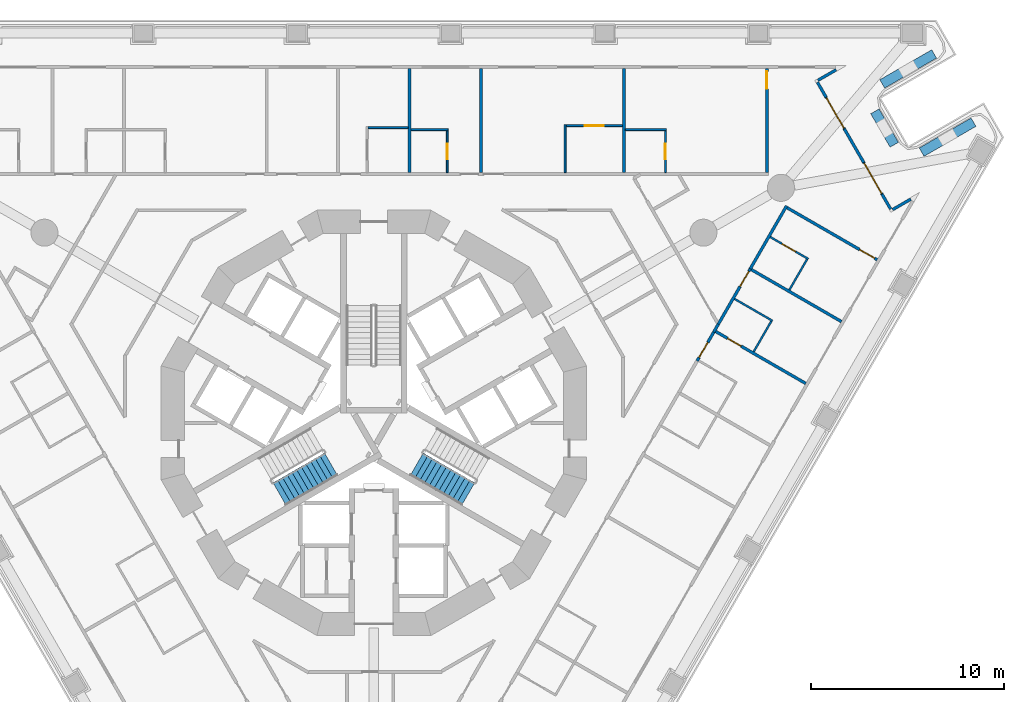
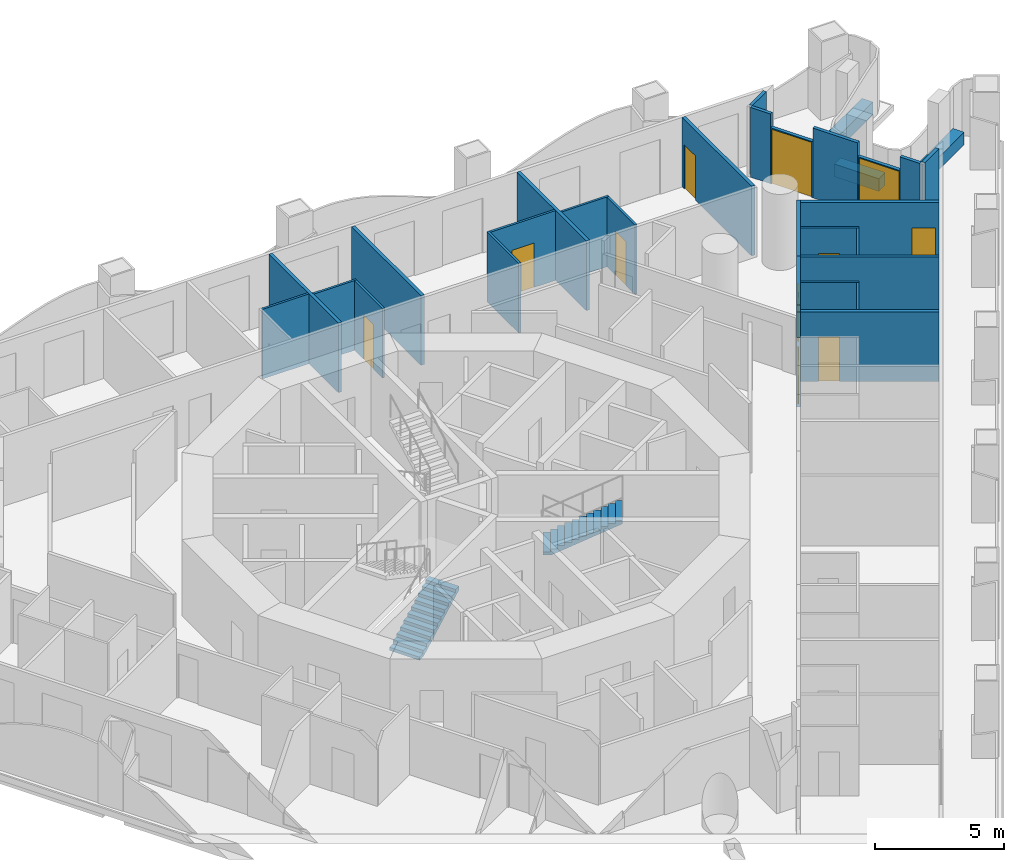
# One storey, part 10 of 20: 32 walls, 11 doors, 2 stair flights, 11 openings, 2 elements without a shape of their own.
"""IFC4 building model written with IfcOpenShell, lengths in metres."""

from ifc_helpers import new_model, si_unit, direction, frame, frame_2d, origin, place, context, subcontext, project, spatial, polyline, rectangle, outline, extrude, material, layer, layer_set, type_object, element, fill, aggregate, save


model = new_model("IFC4")

# Units and contexts
model_context = context("Model", 3, precision=1e-05, world=origin(), true_north=direction((0.0, 1.0)))
body_context = subcontext(model_context, "Body", "Model", "MODEL_VIEW")
ifc_project = project(units=[si_unit("LENGTHUNIT", "METRE"), si_unit("AREAUNIT", "SQUARE_METRE"), si_unit("VOLUMEUNIT", "CUBIC_METRE"), si_unit("PLANEANGLEUNIT", "RADIAN"), si_unit("MASSUNIT", "GRAM", prefix="KILO")], contexts=[model_context])

# Site, building, storey
site_placement = place(None, origin())
site = spatial("IfcSite", under=ifc_project, at=site_placement, CompositionType="ELEMENT")
building_placement = place(site_placement, origin())
building = spatial("IfcBuilding", under=site, at=building_placement, Name="Trine Commons Tower", CompositionType="ELEMENT")
storey_placement = place(building_placement, frame((0.0, 0.0, 35.10009765625)))
storey = spatial("IfcBuildingStorey", under=building, at=storey_placement, Name="L07", CompositionType="ELEMENT", Elevation=35.10009765625)

# Walls
ifc_material_1 = material(Name="Aluminium-framed insulated wall panel", Category="aluminium")
ifc_layer_1 = layer(ifc_material_1, 0.14990234375)
ifc_layer_set_1 = layer_set([ifc_layer_1], Name="Aluminium-framed insulated wall panel")
wall_type_1 = type_object("IfcWallType", Name="Glazed frame wall 150, EI 60", PredefinedType="SOLIDWALL", material=ifc_layer_set_1)
wall_1_placement = place(storey_placement, frame((104.060546875, 80.854248046875, 0.0), z_axis=(0.0, 0.0, 1.0), x_axis=(-0.86606770004, -0.49992673358, 0.0)))
element("IfcWall", 1, at=wall_1_placement, inside=storey, type_object=wall_type_1, Name="Glazed frame wall R5", PredefinedType="SOLIDWALL", context=body_context, shape_type="SweptSolid", body=[
    extrude(outline(polyline([(0.1494140625, 0.074951171875), (0.1494140625, -0.074951171875), (1.235107421875, -0.074951171875), (1.235107421875, 0.074951171875), (0.1494140625, 0.074951171875)])), origin(), (0.0, 0.0, 1.0), 3.2998046875),
])
wall_2_placement = place(storey_placement, frame((102.90869140625, 80.2294921875, 0.0), z_axis=(0.0, 0.0, 1.0), x_axis=(0.50002537861, -0.866010750942, 0.0)))
element("IfcWall", 2, at=wall_2_placement, inside=storey, type_object=wall_type_1, Name="Glazed frame wall P2.1", PredefinedType="SOLIDWALL", context=body_context, shape_type="SweptSolid", body=[
    extrude(outline(polyline([(0.110107421875, -0.074951171875), (1.0, -0.074951171875), (1.0, 0.074951171875), (0.110107421875, 0.074951171875), (0.110107421875, -0.074951171875)])), origin(), (0.0, 0.0, 1.0), 3.2998046875),
])

# Wall, opening, door
wall_3_placement = place(storey_placement, frame((103.40869140625, 79.363525390625, 0.0), z_axis=(0.0, 0.0, 1.0), x_axis=(0.499967155389, -0.866044365799, 0.0)))
wall_3 = element("IfcWall", 3, at=wall_3_placement, inside=storey, type_object=wall_type_1, Name="Glazed frame wall P2.2", PredefinedType="SOLIDWALL", context=body_context, shape_type="SweptSolid", body=[
    extrude(outline(polyline([(0.0, -0.074951171875), (1.89990234375, -0.074951171875), (1.89990234375, 0.074951171875), (0.0, 0.074951171875), (0.0, -0.074951171875)])), origin(), (0.0, 0.0, 1.0), 2.64990234375),
])
opening_1_placement = place(wall_3_placement, frame((0.050048828125, 0.0, 0.0)))
opening_1 = element("IfcOpeningElement", 4, at=opening_1_placement, cuts=wall_3, Name="Opening BD-1P2-01", PredefinedType="OPENING", context=body_context, shape_type="SweptSolid", body=[
    extrude(rectangle(XDim=1.800048828125, YDim=2.60009765625, at=frame_2d((0.89990234375, 1.300048828125))), frame((0.0, 0.0849609375, 0.0), z_axis=(0.0, -1.0, 0.0), x_axis=(1.0, 0.0, 0.0)), (0.0, 0.0, 1.0), 0.169921875),
])
ifc_material_2 = material(Name="Anodised aluminium frame with double glazing", Category="aluminium")
door_type_1 = type_object("IfcDoorType", Name="Sliding loggia door 1800x2600", OperationType="SLIDING_TO_LEFT", PredefinedType="DOOR", material=ifc_material_2)
door_1_placement = place(opening_1_placement, origin())
door_1 = element("IfcDoor", 5, at=door_1_placement, inside=storey, type_object=door_type_1, Name="Loggia door P2 1", OperationType="SLIDING_TO_LEFT", OverallHeight=2.60009765625, OverallWidth=1.800048828125, PredefinedType="DOOR", context=body_context, shape_type="SweptSolid", body=[
    extrude(rectangle(XDim=1.800048828125, YDim=2.60009765625, at=frame_2d((0.89990234375, 1.300048828125))), frame((0.0, 0.02490234375, 0.0), z_axis=(0.0, -1.0, 0.0), x_axis=(1.0, 0.0, 0.0)), (0.0, 0.0, 1.0), 0.050048828125),
])
fill(opening_1, door_1)

# Wall
wall_4_placement = place(storey_placement, frame((104.358642578125, 77.718017578125, 0.0), z_axis=(0.0, 0.0, 1.0), x_axis=(0.50002537861, -0.866010750942, 0.0)))
element("IfcWall", 6, at=wall_4_placement, inside=storey, type_object=wall_type_1, Name="Glazed frame wall P2.3", PredefinedType="SOLIDWALL", context=body_context, shape_type="SweptSolid", body=[
    extrude(outline(polyline([(0.0, -0.074951171875), (2.0, -0.074951171875), (2.0, 0.074951171875), (0.0, 0.074951171875), (0.0, -0.074951171875)])), origin(), (0.0, 0.0, 1.0), 3.2998046875),
])

# Wall, opening, door
wall_5_placement = place(storey_placement, frame((105.358642578125, 75.986083984375, 0.0), z_axis=(0.0, 0.0, 1.0), x_axis=(0.499967155389, -0.866044365799, 0.0)))
wall_5 = element("IfcWall", 7, at=wall_5_placement, inside=storey, type_object=wall_type_1, Name="Glazed frame wall P2.4", PredefinedType="SOLIDWALL", context=body_context, shape_type="SweptSolid", body=[
    extrude(outline(polyline([(0.0, -0.074951171875), (1.89990234375, -0.074951171875), (1.89990234375, 0.074951171875), (0.0, 0.074951171875), (0.0, -0.074951171875)])), origin(), (0.0, 0.0, 1.0), 2.64990234375),
])
opening_2_placement = place(wall_5_placement, frame((0.050048828125, 0.0, 0.0)))
opening_2 = element("IfcOpeningElement", 8, at=opening_2_placement, cuts=wall_5, Name="Opening BD-1P2-02", PredefinedType="OPENING", context=body_context, shape_type="SweptSolid", body=[
    extrude(rectangle(XDim=1.800048828125, YDim=2.60009765625, at=frame_2d((0.89990234375, 1.300048828125))), frame((0.0, 0.0849609375, 0.0), z_axis=(0.0, -1.0, 0.0), x_axis=(1.0, 0.0, 0.0)), (0.0, 0.0, 1.0), 0.169921875),
])
door_2_placement = place(opening_2_placement, origin())
door_2 = element("IfcDoor", 9, at=door_2_placement, inside=storey, type_object=door_type_1, Name="Loggia door P2 2", OperationType="SLIDING_TO_LEFT", OverallHeight=2.60009765625, OverallWidth=1.800048828125, PredefinedType="DOOR", context=body_context, shape_type="SweptSolid", body=[
    extrude(rectangle(XDim=1.800048828125, YDim=2.60009765625, at=frame_2d((0.89990234375, 1.300048828125))), frame((0.0, 0.02490234375, 0.0), z_axis=(0.0, -1.0, 0.0), x_axis=(1.0, 0.0, 0.0)), (0.0, 0.0, 1.0), 0.050048828125),
])
fill(opening_2, door_2)

# Walls
wall_6_placement = place(storey_placement, frame((106.30859375, 74.340576171875, 0.0), z_axis=(0.0, 0.0, 1.0), x_axis=(0.50002537861, -0.866010750942, 0.0)))
element("IfcWall", 10, at=wall_6_placement, inside=storey, type_object=wall_type_1, Name="Glazed frame wall P2.5", PredefinedType="SOLIDWALL", context=body_context, shape_type="SweptSolid", body=[
    extrude(outline(polyline([(0.889892578125, 0.074951171875), (0.0, 0.074951171875), (0.0, -0.074951171875), (0.889892578125, -0.074951171875), (0.889892578125, 0.074951171875)])), origin(), (0.0, 0.0, 1.0), 3.2998046875),
])
wall_7_placement = place(storey_placement, frame((106.7607421875, 73.4873046875, 0.0), z_axis=(0.0, 0.0, 1.0), x_axis=(0.865989100438, 0.500062873969, 0.0)))
element("IfcWall", 11, at=wall_7_placement, inside=storey, type_object=wall_type_1, Name="Glazed frame wall R7", PredefinedType="SOLIDWALL", context=body_context, shape_type="SweptSolid", body=[
    extrude(outline(polyline([(0.110107421875, 0.074951171875), (0.110107421875, -0.074951171875), (1.19580078125, -0.074951171875), (1.19580078125, 0.074951171875), (0.110107421875, 0.074951171875)])), origin(), (0.0, 0.0, 1.0), 3.2998046875),
])
ifc_material_3 = material(Name="Planter trough, precast concrete C40/50", Category="concrete")
ifc_layer_2 = layer(ifc_material_3, 0.5)
ifc_layer_set_2 = layer_set([ifc_layer_2], Name="Planter trough, precast concrete C40/50")
wall_type_2 = type_object("IfcWallType", Name="Planter trough 500x600", PredefinedType="PARAPET", material=ifc_layer_set_2)
wall_8_placement = place(storey_placement, frame((109.00439453125, 81.601318359375, 0.0), z_axis=(0.0, 0.0, 1.0), x_axis=(-0.86602952684, -0.49999285859, 0.0)))
element("IfcWall", 12, at=wall_8_placement, inside=storey, type_object=wall_type_2, Name="Planter 4", PredefinedType="PARAPET", context=body_context, shape_type="SweptSolid", body=[
    extrude(rectangle(XDim=3.10009765625, YDim=0.5, at=frame_2d((1.550048828125, 0.0))), origin(), (0.0, 0.0, 1.0), 0.599853515625),
])
wall_9_placement = place(storey_placement, frame((105.939208984375, 78.630615234375, 0.0), z_axis=(0.0, 0.0, 1.0), x_axis=(0.50002537861, -0.866010750942, 0.0)))
element("IfcWall", 13, at=wall_9_placement, inside=storey, type_object=wall_type_2, Name="Planter 5", PredefinedType="PARAPET", context=body_context, shape_type="SweptSolid", body=[
    extrude(rectangle(XDim=2.0, YDim=0.5, at=frame_2d((1.0, 0.0))), origin(), (0.0, 0.0, 1.0), 0.599853515625),
])
wall_10_placement = place(storey_placement, frame((108.359619140625, 76.51806640625, 0.0), z_axis=(0.0, 0.0, 1.0), x_axis=(0.86602952684, 0.49999285859, 0.0)))
element("IfcWall", 14, at=wall_10_placement, inside=storey, type_object=wall_type_2, Name="Planter 6", PredefinedType="PARAPET", context=body_context, shape_type="SweptSolid", body=[
    extrude(rectangle(XDim=3.10009765625, YDim=0.5, at=frame_2d((1.550048828125, 0.0))), origin(), (0.0, 0.0, 1.0), 0.599853515625),
])
ifc_material_4 = material(Name="Gypsum plasterboard on steel stud", Category="steel")
ifc_layer_3 = layer(ifc_material_4, 0.14990234375)
ifc_layer_set_3 = layer_set([ifc_layer_3], Name="Gypsum plasterboard on steel stud")
wall_type_3 = type_object("IfcWallType", Name="Unit and corridor wall 150 mm, EI 60", PredefinedType="PARTITIONING", material=ifc_layer_set_3)
for number, where, z_axis, x_axis, name in (
    (15, (81.84912109375, 75.4619140625, 0.0), (0.0, 0.0, 1.0), (0.0, 1.0, 0.0), "Partition 073"),
    (16, (85.548095703125, 75.4619140625, 0.0), (0.0, 0.0, 1.0), (0.0, 1.0, 0.0), "Partition 086"),
    (17, (92.946044921875, 75.4619140625, 0.0), (0.0, 0.0, 1.0), (0.0, 1.0, 0.0), "Partition 110"),
):
    element("IfcWall", number, at=place(storey_placement, frame(where, z_axis=z_axis, x_axis=x_axis)), inside=storey, type_object=wall_type_3, Name=name, PredefinedType="PARTITIONING", context=body_context, shape_type="SweptSolid", body=[
        extrude(rectangle(XDim=5.383056640625, YDim=0.14990234375, at=frame_2d((2.69140625, 0.0))), origin(), (0.0, 0.0, 1.0), 3.2998046875),
    ])

# Wall, opening, door
wall_11_placement = place(storey_placement, frame((96.73291015625, 65.707763671875, 0.0), z_axis=(0.0, 0.0, 1.0), x_axis=(0.499991567972, 0.866030271964, 0.0)))
wall_11 = element("IfcWall", 18, at=wall_11_placement, inside=storey, type_object=wall_type_3, Name="Partition 122", PredefinedType="PARTITIONING", context=body_context, shape_type="SweptSolid", body=[
    extrude(rectangle(XDim=1.80615234375, YDim=0.14990234375, at=frame_2d((0.903076171875, 0.0))), origin(), (0.0, 0.0, 1.0), 3.2998046875),
])
opening_3_placement = place(wall_11_placement, frame((0.203125, 0.0, 0.0)))
opening_3 = element("IfcOpeningElement", 19, at=opening_3_placement, cuts=wall_11, Name="Opening D-1A17", PredefinedType="OPENING", context=body_context, shape_type="SweptSolid", body=[
    extrude(rectangle(XDim=0.89990234375, YDim=2.10009765625, at=frame_2d((0.449951171875, 1.050048828125))), frame((0.0, 0.0849609375, 0.0), z_axis=(0.0, -1.0, 0.0), x_axis=(1.0, 0.0, 0.0)), (0.0, 0.0, 1.0), 0.169921875),
])
ifc_material_5 = material(Name="Timber fire door set", Category="wood")
door_type_2 = type_object("IfcDoorType", Name="Bedroom door 900 x 2100, FD30S", OperationType="NOTDEFINED", PredefinedType="DOOR", material=ifc_material_5)
door_3_placement = place(opening_3_placement, frame((0.89990234375, 0.0, 0.0), z_axis=(0.0, 0.0, 1.0), x_axis=(-1.0, 0.0, 0.0)))
door_3 = element("IfcDoor", 20, at=door_3_placement, inside=storey, type_object=door_type_2, Name="Door D-1A17", OperationType="SINGLE_SWING_RIGHT", OverallHeight=2.10009765625, OverallWidth=0.89990234375, PredefinedType="DOOR", context=body_context, shape_type="SweptSolid", body=[
    extrude(rectangle(XDim=0.89990234375, YDim=2.10009765625, at=frame_2d((0.449951171875, 1.050048828125))), frame((0.0, 0.02490234375, 0.0), z_axis=(0.0, -1.0, 0.0), x_axis=(1.0, 0.0, 0.0)), (0.0, 0.0, 1.0), 0.050048828125),
])
fill(opening_3, door_3)

# Wall
wall_12_placement = place(storey_placement, frame((97.594482421875, 67.199951171875, 0.0), z_axis=(0.0, 0.0, 1.0), x_axis=(0.499633176362, 0.866237085952, 0.0)))
element("IfcWall", 21, at=wall_12_placement, inside=storey, type_object=wall_type_3, Name="Partition 125", PredefinedType="PARTITIONING", context=body_context, shape_type="SweptSolid", body=[
    extrude(rectangle(XDim=0.473388671875, YDim=0.14990234375, at=frame_2d((0.23681640625, 0.0))), origin(), (0.0, 0.0, 1.0), 3.2998046875),
])

# Wall, opening, door
wall_13_placement = place(storey_placement, frame((97.697998046875, 67.2314453125, 0.0), z_axis=(0.0, 0.0, 1.0), x_axis=(0.866057962423, -0.499943602543, 0.0)))
wall_13 = element("IfcWall", 22, at=wall_13_placement, inside=storey, type_object=wall_type_3, Name="Partition 126", PredefinedType="PARTITIONING", context=body_context, shape_type="SweptSolid", body=[
    extrude(rectangle(XDim=5.38330078125, YDim=0.14990234375, at=frame_2d((2.691650390625, 0.0))), origin(), (0.0, 0.0, 1.0), 3.2998046875),
])
opening_4_placement = place(wall_13_placement, frame((0.712646484375, 0.0, 0.0)))
opening_4 = element("IfcOpeningElement", 23, at=opening_4_placement, cuts=wall_13, Name="Opening D-1A49", PredefinedType="OPENING", context=body_context, shape_type="SweptSolid", body=[
    extrude(rectangle(XDim=0.800048828125, YDim=2.10009765625, at=frame_2d((0.39990234375, 1.050048828125))), frame((0.0, 0.0849609375, 0.0), z_axis=(0.0, -1.0, 0.0), x_axis=(1.0, 0.0, 0.0)), (0.0, 0.0, 1.0), 0.169921875),
])
ifc_material_6 = material(Name="Painted timber", Category="wood")
door_type_3 = type_object("IfcDoorType", Name="Internal door 800 x 2100, NOT RATED", OperationType="NOTDEFINED", PredefinedType="DOOR", material=ifc_material_6)
door_4_placement = place(opening_4_placement, frame((0.800048828125, 0.0, 0.0), z_axis=(0.0, 0.0, 1.0), x_axis=(-1.0, 0.0, 0.0)))
door_4 = element("IfcDoor", 24, at=door_4_placement, inside=storey, type_object=door_type_3, Name="Door D-1A49", OperationType="SINGLE_SWING_RIGHT", OverallHeight=2.10009765625, OverallWidth=0.800048828125, PredefinedType="DOOR", context=body_context, shape_type="SweptSolid", body=[
    extrude(rectangle(XDim=0.800048828125, YDim=2.10009765625, at=frame_2d((0.39990234375, 1.050048828125))), frame((0.0, 0.02490234375, 0.0), z_axis=(0.0, -1.0, 0.0), x_axis=(1.0, 0.0, 0.0)), (0.0, 0.0, 1.0), 0.050048828125),
])
fill(opening_4, door_4)

wall_14_placement = place(storey_placement, frame((97.8310546875, 67.610107421875, 0.0), z_axis=(0.0, 0.0, 1.0), x_axis=(0.499905801698, 0.866079782369, 0.0)))
wall_14 = element("IfcWall", 25, at=wall_14_placement, inside=storey, type_object=wall_type_3, Name="Partition 128", PredefinedType="PARTITIONING", context=body_context, shape_type="SweptSolid", body=[
    extrude(rectangle(XDim=3.304443359375, YDim=0.14990234375, at=frame_2d((1.65234375, 0.0))), origin(), (0.0, 0.0, 1.0), 3.2998046875),
])
opening_5_placement = place(wall_14_placement, frame((2.254638671875, 0.0, 0.0)))
opening_5 = element("IfcOpeningElement", 26, at=opening_5_placement, cuts=wall_14, Name="Opening D-1A16", PredefinedType="OPENING", context=body_context, shape_type="SweptSolid", body=[
    extrude(rectangle(XDim=0.89990234375, YDim=2.10009765625, at=frame_2d((0.449951171875, 1.050048828125))), frame((0.0, 0.0849609375, 0.0), z_axis=(0.0, -1.0, 0.0), x_axis=(1.0, 0.0, 0.0)), (0.0, 0.0, 1.0), 0.169921875),
])
door_5_placement = place(opening_5_placement, frame((0.89990234375, 0.0, 0.0), z_axis=(0.0, 0.0, 1.0), x_axis=(-1.0, 0.0, 0.0)))
door_5 = element("IfcDoor", 27, at=door_5_placement, inside=storey, type_object=door_type_2, Name="Door D-1A16", OperationType="SINGLE_SWING_LEFT", OverallHeight=2.10009765625, OverallWidth=0.89990234375, PredefinedType="DOOR", context=body_context, shape_type="SweptSolid", body=[
    extrude(rectangle(XDim=0.89990234375, YDim=2.10009765625, at=frame_2d((0.449951171875, 1.050048828125))), frame((0.0, 0.02490234375, 0.0), z_axis=(0.0, -1.0, 0.0), x_axis=(1.0, 0.0, 0.0)), (0.0, 0.0, 1.0), 0.050048828125),
])
fill(opening_5, door_5)

# Walls
wall_15_placement = place(storey_placement, frame((99.48291015625, 70.471923828125, 0.0), z_axis=(0.0, 0.0, 1.0), x_axis=(0.49993154479, 0.866064922811, 0.0)))
element("IfcWall", 28, at=wall_15_placement, inside=storey, type_object=wall_type_3, Name="Partition 130", PredefinedType="PARTITIONING", context=body_context, shape_type="SweptSolid", body=[
    extrude(rectangle(XDim=3.7734375, YDim=0.14990234375, at=frame_2d((1.88671875, 0.0))), origin(), (0.0, 0.0, 1.0), 3.2998046875),
])
wall_16_placement = place(storey_placement, frame((99.548095703125, 70.4345703125, 0.0), z_axis=(0.0, 0.0, 1.0), x_axis=(0.865992970276, -0.500056172277, 0.0)))
element("IfcWall", 29, at=wall_16_placement, inside=storey, type_object=wall_type_3, Name="Partition 131", PredefinedType="PARTITIONING", context=body_context, shape_type="SweptSolid", body=[
    extrude(rectangle(XDim=5.3828125, YDim=0.14990234375, at=frame_2d((2.69140625, 0.0))), origin(), (0.0, 0.0, 1.0), 3.2998046875),
])

# Wall, opening, door
wall_17_placement = place(storey_placement, frame((100.343994140625, 75.4619140625, 0.0), z_axis=(0.0, 0.0, 1.0), x_axis=(0.0, 1.0, 0.0)))
wall_17 = element("IfcWall", 30, at=wall_17_placement, inside=storey, type_object=wall_type_3, Name="Partition 133", PredefinedType="PARTITIONING", context=body_context, shape_type="SweptSolid", body=[
    extrude(rectangle(XDim=5.383056640625, YDim=0.14990234375, at=frame_2d((2.69140625, 0.0))), origin(), (0.0, 0.0, 1.0), 3.2998046875),
])
opening_6_placement = place(wall_17_placement, frame((4.3330078125, 0.0, 0.0)))
opening_6 = element("IfcOpeningElement", 31, at=opening_6_placement, cuts=wall_17, Name="Opening D-1A14", PredefinedType="OPENING", context=body_context, shape_type="SweptSolid", body=[
    extrude(rectangle(XDim=0.89990234375, YDim=2.10009765625, at=frame_2d((0.449951171875, 1.050048828125))), frame((0.0, 0.0849609375, 0.0), z_axis=(0.0, -1.0, 0.0), x_axis=(1.0, 0.0, 0.0)), (0.0, 0.0, 1.0), 0.169921875),
])
door_6_placement = place(opening_6_placement, origin())
door_6 = element("IfcDoor", 32, at=door_6_placement, inside=storey, type_object=door_type_2, Name="Door D-1A14", OperationType="SINGLE_SWING_RIGHT", OverallHeight=2.10009765625, OverallWidth=0.89990234375, PredefinedType="DOOR", context=body_context, shape_type="SweptSolid", body=[
    extrude(rectangle(XDim=0.89990234375, YDim=2.10009765625, at=frame_2d((0.449951171875, 1.050048828125))), frame((0.0, 0.02490234375, 0.0), z_axis=(0.0, -1.0, 0.0), x_axis=(1.0, 0.0, 0.0)), (0.0, 0.0, 1.0), 0.050048828125),
])
fill(opening_6, door_6)

wall_18_placement = place(storey_placement, frame((101.39697265625, 73.637451171875, 0.0), z_axis=(0.0, 0.0, 1.0), x_axis=(0.866057962423, -0.499943602543, 0.0)))
wall_18 = element("IfcWall", 33, at=wall_18_placement, inside=storey, type_object=wall_type_3, Name="Partition 135", PredefinedType="PARTITIONING", context=body_context, shape_type="SweptSolid", body=[
    extrude(rectangle(XDim=5.38330078125, YDim=0.14990234375, at=frame_2d((2.691650390625, 0.0))), origin(), (0.0, 0.0, 1.0), 3.2998046875),
])
opening_7_placement = place(wall_18_placement, frame((4.33349609375, 0.0, 0.0)))
opening_7 = element("IfcOpeningElement", 34, at=opening_7_placement, cuts=wall_18, Name="Opening D-1A15", PredefinedType="OPENING", context=body_context, shape_type="SweptSolid", body=[
    extrude(rectangle(XDim=0.89990234375, YDim=2.10009765625, at=frame_2d((0.449951171875, 1.050048828125))), frame((0.0, 0.0849609375, 0.0), z_axis=(0.0, -1.0, 0.0), x_axis=(1.0, 0.0, 0.0)), (0.0, 0.0, 1.0), 0.169921875),
])
door_7_placement = place(opening_7_placement, frame((0.89990234375, 0.0, 0.0), z_axis=(0.0, 0.0, 1.0), x_axis=(-1.0, 0.0, 0.0)))
door_7 = element("IfcDoor", 35, at=door_7_placement, inside=storey, type_object=door_type_2, Name="Door D-1A15", OperationType="SINGLE_SWING_LEFT", OverallHeight=2.10009765625, OverallWidth=0.89990234375, PredefinedType="DOOR", context=body_context, shape_type="SweptSolid", body=[
    extrude(rectangle(XDim=0.89990234375, YDim=2.10009765625, at=frame_2d((0.449951171875, 1.050048828125))), frame((0.0, 0.02490234375, 0.0), z_axis=(0.0, -1.0, 0.0), x_axis=(1.0, 0.0, 0.0)), (0.0, 0.0, 1.0), 0.050048828125),
])
fill(opening_7, door_7)

# Walls
ifc_layer_4 = layer(ifc_material_4, 0.10009765625)
ifc_layer_set_4 = layer_set([ifc_layer_4], Name="Gypsum plasterboard on steel stud")
wall_type_4 = type_object("IfcWallType", Name="Unit partition 100 mm, no rating", PredefinedType="PARTITIONING", material=ifc_layer_set_4)
wall_19_placement = place(storey_placement, frame((79.698974609375, 77.787109375, 0.0), z_axis=(0.0, 0.0, 1.0), x_axis=(1.0, 0.0, 0.0)))
element("IfcWall", 36, at=wall_19_placement, inside=storey, type_object=wall_type_4, Name="Partition 068", PredefinedType="PARTITIONING", context=body_context, shape_type="SweptSolid", body=[
    extrude(rectangle(XDim=2.074951171875, YDim=0.10009765625, at=frame_2d((1.03759765625, 0.0))), origin(), (0.0, 0.0, 1.0), 3.2998046875),
])
wall_20_placement = place(storey_placement, frame((81.924072265625, 77.68701171875, 0.0), z_axis=(0.0, 0.0, 1.0), x_axis=(1.0, 0.0, 0.0)))
element("IfcWall", 37, at=wall_20_placement, inside=storey, type_object=wall_type_4, Name="Partition 074", PredefinedType="PARTITIONING", context=body_context, shape_type="SweptSolid", body=[
    extrude(rectangle(XDim=1.925048828125, YDim=0.10009765625, at=frame_2d((0.96240234375, 0.0))), origin(), (0.0, 0.0, 1.0), 3.2998046875),
])

# Wall, opening, door
wall_21_placement = place(storey_placement, frame((83.799072265625, 75.4619140625, 0.0), z_axis=(0.0, 0.0, 1.0), x_axis=(0.0, 1.0, 0.0)))
wall_21 = element("IfcWall", 38, at=wall_21_placement, inside=storey, type_object=wall_type_4, Name="Partition 082", PredefinedType="PARTITIONING", context=body_context, shape_type="SweptSolid", body=[
    extrude(rectangle(XDim=2.175048828125, YDim=0.10009765625, at=frame_2d((1.08740234375, 0.0))), origin(), (0.0, 0.0, 1.0), 3.2998046875),
])
opening_8_placement = place(wall_21_placement, frame((0.6875, 0.0, 0.0)))
opening_8 = element("IfcOpeningElement", 39, at=opening_8_placement, cuts=wall_21, Name="Opening D-1A45", PredefinedType="OPENING", context=body_context, shape_type="SweptSolid", body=[
    extrude(rectangle(XDim=0.800048828125, YDim=2.10009765625, at=frame_2d((0.39990234375, 1.050048828125))), frame((0.0, 0.06005859375, 0.0), z_axis=(0.0, -1.0, 0.0), x_axis=(1.0, 0.0, 0.0)), (0.0, 0.0, 1.0), 0.1201171875),
])
door_8_placement = place(opening_8_placement, frame((0.800048828125, 0.0, 0.0), z_axis=(0.0, 0.0, 1.0), x_axis=(-1.0, 0.0, 0.0)))
door_8 = element("IfcDoor", 40, at=door_8_placement, inside=storey, type_object=door_type_3, Name="Door D-1A45", OperationType="SINGLE_SWING_RIGHT", OverallHeight=2.10009765625, OverallWidth=0.800048828125, PredefinedType="DOOR", context=body_context, shape_type="SweptSolid", body=[
    extrude(rectangle(XDim=0.800048828125, YDim=2.10009765625, at=frame_2d((0.39990234375, 1.050048828125))), frame((0.0, 0.02490234375, 0.0), z_axis=(0.0, -1.0, 0.0), x_axis=(1.0, 0.0, 0.0)), (0.0, 0.0, 1.0), 0.050048828125),
])
fill(opening_8, door_8)

# Wall
wall_22_placement = place(storey_placement, frame((89.89599609375, 75.4619140625, 0.0), z_axis=(0.0, 0.0, 1.0), x_axis=(0.0, 1.0, 0.0)))
element("IfcWall", 41, at=wall_22_placement, inside=storey, type_object=wall_type_4, Name="Partition 101", PredefinedType="PARTITIONING", context=body_context, shape_type="SweptSolid", body=[
    extrude(rectangle(XDim=2.47509765625, YDim=0.10009765625, at=frame_2d((1.237548828125, 0.0))), origin(), (0.0, 0.0, 1.0), 3.2998046875),
])

# Wall, opening, door
wall_23_placement = place(storey_placement, frame((89.946044921875, 77.886962890625, 0.0), z_axis=(0.0, 0.0, 1.0), x_axis=(1.0, 0.0, 0.0)))
wall_23 = element("IfcWall", 42, at=wall_23_placement, inside=storey, type_object=wall_type_4, Name="Partition 102", PredefinedType="PARTITIONING", context=body_context, shape_type="SweptSolid", body=[
    extrude(rectangle(XDim=2.925048828125, YDim=0.10009765625, at=frame_2d((1.46240234375, 0.0))), origin(), (0.0, 0.0, 1.0), 3.2998046875),
])
opening_9_placement = place(wall_23_placement, frame((0.96240234375, 0.0, 0.0)))
opening_9 = element("IfcOpeningElement", 43, at=opening_9_placement, cuts=wall_23, Name="Opening D-1A46", PredefinedType="OPENING", context=body_context, shape_type="SweptSolid", body=[
    extrude(rectangle(XDim=1.0, YDim=2.10009765625, at=frame_2d((0.5, 1.050048828125))), frame((0.0, 0.06005859375, 0.0), z_axis=(0.0, -1.0, 0.0), x_axis=(1.0, 0.0, 0.0)), (0.0, 0.0, 1.0), 0.1201171875),
])
door_type_4 = type_object("IfcDoorType", Name="Internal door 1000 x 2100, NOT RATED", OperationType="NOTDEFINED", PredefinedType="DOOR", material=ifc_material_6)
door_9_placement = place(opening_9_placement, origin())
door_9 = element("IfcDoor", 44, at=door_9_placement, inside=storey, type_object=door_type_4, Name="Door D-1A46", OperationType="SINGLE_SWING_RIGHT", OverallHeight=2.10009765625, OverallWidth=1.0, PredefinedType="DOOR", context=body_context, shape_type="SweptSolid", body=[
    extrude(rectangle(XDim=1.0, YDim=2.10009765625, at=frame_2d((0.5, 1.050048828125))), frame((0.0, 0.02490234375, 0.0), z_axis=(0.0, -1.0, 0.0), x_axis=(1.0, 0.0, 0.0)), (0.0, 0.0, 1.0), 0.050048828125),
])
fill(opening_9, door_9)

# Wall
wall_24_placement = place(storey_placement, frame((93.02099609375, 77.68701171875, 0.0), z_axis=(0.0, 0.0, 1.0), x_axis=(1.0, 0.0, 0.0)))
element("IfcWall", 45, at=wall_24_placement, inside=storey, type_object=wall_type_4, Name="Partition 111", PredefinedType="PARTITIONING", context=body_context, shape_type="SweptSolid", body=[
    extrude(rectangle(XDim=2.125, YDim=0.10009765625, at=frame_2d((1.0625, 0.0))), origin(), (0.0, 0.0, 1.0), 3.2998046875),
])

# Wall, opening, door
wall_25_placement = place(storey_placement, frame((95.095947265625, 75.4619140625, 0.0), z_axis=(0.0, 0.0, 1.0), x_axis=(0.0, 1.0, 0.0)))
wall_25 = element("IfcWall", 46, at=wall_25_placement, inside=storey, type_object=wall_type_4, Name="Partition 118", PredefinedType="PARTITIONING", context=body_context, shape_type="SweptSolid", body=[
    extrude(rectangle(XDim=2.175048828125, YDim=0.10009765625, at=frame_2d((1.08740234375, 0.0))), origin(), (0.0, 0.0, 1.0), 3.2998046875),
])
opening_10_placement = place(wall_25_placement, frame((0.6875, 0.0, 0.0)))
opening_10 = element("IfcOpeningElement", 47, at=opening_10_placement, cuts=wall_25, Name="Opening D-1A47", PredefinedType="OPENING", context=body_context, shape_type="SweptSolid", body=[
    extrude(rectangle(XDim=0.800048828125, YDim=2.10009765625, at=frame_2d((0.39990234375, 1.050048828125))), frame((0.0, 0.06005859375, 0.0), z_axis=(0.0, -1.0, 0.0), x_axis=(1.0, 0.0, 0.0)), (0.0, 0.0, 1.0), 0.1201171875),
])
door_10_placement = place(opening_10_placement, frame((0.800048828125, 0.0, 0.0), z_axis=(0.0, 0.0, 1.0), x_axis=(-1.0, 0.0, 0.0)))
door_10 = element("IfcDoor", 48, at=door_10_placement, inside=storey, type_object=door_type_3, Name="Door D-1A47", OperationType="SINGLE_SWING_RIGHT", OverallHeight=2.10009765625, OverallWidth=0.800048828125, PredefinedType="DOOR", context=body_context, shape_type="SweptSolid", body=[
    extrude(rectangle(XDim=0.800048828125, YDim=2.10009765625, at=frame_2d((0.39990234375, 1.050048828125))), frame((0.0, 0.02490234375, 0.0), z_axis=(0.0, -1.0, 0.0), x_axis=(1.0, 0.0, 0.0)), (0.0, 0.0, 1.0), 0.050048828125),
])
fill(opening_10, door_10)

# Walls
wall_26_placement = place(storey_placement, frame((98.673095703125, 68.91943359375, 0.0), z_axis=(0.0, 0.0, 1.0), x_axis=(0.866035472144, -0.499982560684, 0.0)))
element("IfcWall", 49, at=wall_26_placement, inside=storey, type_object=wall_type_4, Name="Partition 129", PredefinedType="PARTITIONING", context=body_context, shape_type="SweptSolid", body=[
    extrude(rectangle(XDim=2.27490234375, YDim=0.10009765625, at=frame_2d((1.137451171875, 0.0))), origin(), (0.0, 0.0, 1.0), 3.2998046875),
])
wall_27_placement = place(storey_placement, frame((99.66259765625, 66.183837890625, 0.0), z_axis=(0.0, 0.0, 1.0), x_axis=(0.50009699267, 0.865969397798, 0.0)))
element("IfcWall", 50, at=wall_27_placement, inside=storey, type_object=wall_type_4, Name="Partition 132", PredefinedType="PARTITIONING", context=body_context, shape_type="SweptSolid", body=[
    extrude(rectangle(XDim=1.824462890625, YDim=0.10009765625, at=frame_2d((0.912109375, 0.0))), origin(), (0.0, 0.0, 1.0), 3.2998046875),
])

# Wall, opening, door
wall_28_placement = place(storey_placement, frame((100.52294921875, 72.12353515625, 0.0), z_axis=(0.0, 0.0, 1.0), x_axis=(0.866062295389, -0.499936096422, 0.0)))
wall_28 = element("IfcWall", 51, at=wall_28_placement, inside=storey, type_object=wall_type_4, Name="Partition 134", PredefinedType="PARTITIONING", context=body_context, shape_type="SweptSolid", body=[
    extrude(rectangle(XDim=2.275146484375, YDim=0.10009765625, at=frame_2d((1.1376953125, 0.0))), origin(), (0.0, 0.0, 1.0), 3.2998046875),
])
opening_11_placement = place(wall_28_placement, frame((0.712646484375, 0.0, 0.0)))
opening_11 = element("IfcOpeningElement", 52, at=opening_11_placement, cuts=wall_28, Name="Opening D-1A48", PredefinedType="OPENING", context=body_context, shape_type="SweptSolid", body=[
    extrude(rectangle(XDim=0.800048828125, YDim=2.10009765625, at=frame_2d((0.39990234375, 1.050048828125))), frame((0.0, 0.06005859375, 0.0), z_axis=(0.0, -1.0, 0.0), x_axis=(1.0, 0.0, 0.0)), (0.0, 0.0, 1.0), 0.1201171875),
])
door_11_placement = place(opening_11_placement, origin())
door_11 = element("IfcDoor", 53, at=door_11_placement, inside=storey, type_object=door_type_3, Name="Door D-1A48", OperationType="SINGLE_SWING_LEFT", OverallHeight=2.10009765625, OverallWidth=0.800048828125, PredefinedType="DOOR", context=body_context, shape_type="SweptSolid", body=[
    extrude(rectangle(XDim=0.800048828125, YDim=2.10009765625, at=frame_2d((0.39990234375, 1.050048828125))), frame((0.0, 0.02490234375, 0.0), z_axis=(0.0, -1.0, 0.0), x_axis=(1.0, 0.0, 0.0)), (0.0, 0.0, 1.0), 0.050048828125),
])
fill(opening_11, door_11)

# Wall
wall_29_placement = place(storey_placement, frame((101.512451171875, 69.386962890625, 0.0), z_axis=(0.0, 0.0, 1.0), x_axis=(0.499965592563, 0.866045268016, 0.0)))
element("IfcWall", 54, at=wall_29_placement, inside=storey, type_object=wall_type_4, Name="Partition 136", PredefinedType="PARTITIONING", context=body_context, shape_type="SweptSolid", body=[
    extrude(rectangle(XDim=1.825439453125, YDim=0.10009765625, at=frame_2d((0.91259765625, 0.0))), origin(), (0.0, 0.0, 1.0), 3.2998046875),
])

# Stair, stair flight
ifc_material_7 = material(Name="Concrete C50/60", Category="concrete")
stair_type = type_object("IfcStairType", Name="Exit stair, dog-leg, 24 risers of 150 mm", PredefinedType="HALF_TURN_STAIR", material=ifc_material_7)
stair_1_placement = place(storey_placement, origin())
stair_1 = element("IfcStair", 55, at=stair_1_placement, inside=storey, type_object=stair_type, Name="L07 Exit stair ST2A", PredefinedType="HALF_TURN_STAIR")
stair_flight_type = type_object("IfcStairFlightType", Name="Stair flight, 1350 wide, 12 risers of 150 mm", PredefinedType="STRAIGHT", material=ifc_material_7)
stair_flight_1_placement = place(storey_placement, frame((75.11767578125, 58.815185546875, 0.0), z_axis=(0.0, 0.0, 1.0), x_axis=(0.866025403784, 0.5, 0.0)))
stair_flight_1 = element("IfcStairFlight", 56, at=stair_flight_1_placement, type_object=stair_flight_type, Name="ST2A flight 1", NumberOfRisers=12, NumberOfTreads=11, PredefinedType="STRAIGHT", RiserHeight=0.15, TreadLength=0.28, context=body_context, shape_type="SweptSolid", body=[
    extrude(outline(polyline([(0.0, 0.0), (0.0, 0.14990234375), (0.280029296875, 0.14990234375), (0.280029296875, 0.300048828125), (0.56005859375, 0.300048828125), (0.56005859375, 0.449951171875), (0.840087890625, 0.449951171875), (0.840087890625, 0.60009765625), (1.1201171875, 0.60009765625), (1.1201171875, 0.75), (1.39990234375, 0.75), (1.39990234375, 0.89990234375), (1.679931640625, 0.89990234375), (1.679931640625, 1.050048828125), (1.9599609375, 1.050048828125), (1.9599609375, 1.199951171875), (2.239990234375, 1.199951171875), (2.239990234375, 1.35009765625), (2.52001953125, 1.35009765625), (2.52001953125, 1.5), (2.800048828125, 1.5), (2.800048828125, 1.64990234375), (3.080078125, 1.64990234375), (3.080078125, 1.800048828125), (3.080078125, 1.47998046875), (0.3173828125, 0.0), (0.0, 0.0)])), frame((0.0, 0.675048828125, 0.0), z_axis=(0.0, -1.0, 0.0), x_axis=(1.0, 0.0, 0.0)), (0.0, 0.0, 1.0), 1.35009765625),
])
aggregate(stair_1, [stair_flight_1])

stair_2_placement = place(storey_placement, origin())
stair_2 = element("IfcStair", 57, at=stair_2_placement, inside=storey, type_object=stair_type, Name="L07 Exit stair ST3A", PredefinedType="HALF_TURN_STAIR")
stair_flight_2_placement = place(storey_placement, frame((82.21484375, 60.355224609375, 1.7998046875), z_axis=(0.0, 0.0, 1.0), x_axis=(0.866025403784, -0.5, 0.0)))
stair_flight_2 = element("IfcStairFlight", 58, at=stair_flight_2_placement, type_object=stair_flight_type, Name="ST3A flight 2", NumberOfRisers=12, NumberOfTreads=11, PredefinedType="STRAIGHT", RiserHeight=0.15, TreadLength=0.28, context=body_context, shape_type="SweptSolid", body=[
    extrude(outline(polyline([(0.0, 0.0), (0.0, 0.14990234375), (0.280029296875, 0.14990234375), (0.280029296875, 0.300048828125), (0.56005859375, 0.300048828125), (0.56005859375, 0.449951171875), (0.840087890625, 0.449951171875), (0.840087890625, 0.60009765625), (1.1201171875, 0.60009765625), (1.1201171875, 0.75), (1.39990234375, 0.75), (1.39990234375, 0.89990234375), (1.679931640625, 0.89990234375), (1.679931640625, 1.050048828125), (1.9599609375, 1.050048828125), (1.9599609375, 1.199951171875), (2.239990234375, 1.199951171875), (2.239990234375, 1.35009765625), (2.52001953125, 1.35009765625), (2.52001953125, 1.5), (2.800048828125, 1.5), (2.800048828125, 1.64990234375), (3.080078125, 1.64990234375), (3.080078125, 1.800048828125), (3.080078125, 1.47998046875), (0.3173828125, 0.0), (0.0, 0.0)])), frame((0.0, 0.675048828125, 0.0), z_axis=(0.0, -1.0, 0.0), x_axis=(1.0, 0.0, 0.0)), (0.0, 0.0, 1.0), 1.35009765625),
])
aggregate(stair_2, [stair_flight_2])

save(model, "model.ifc")
